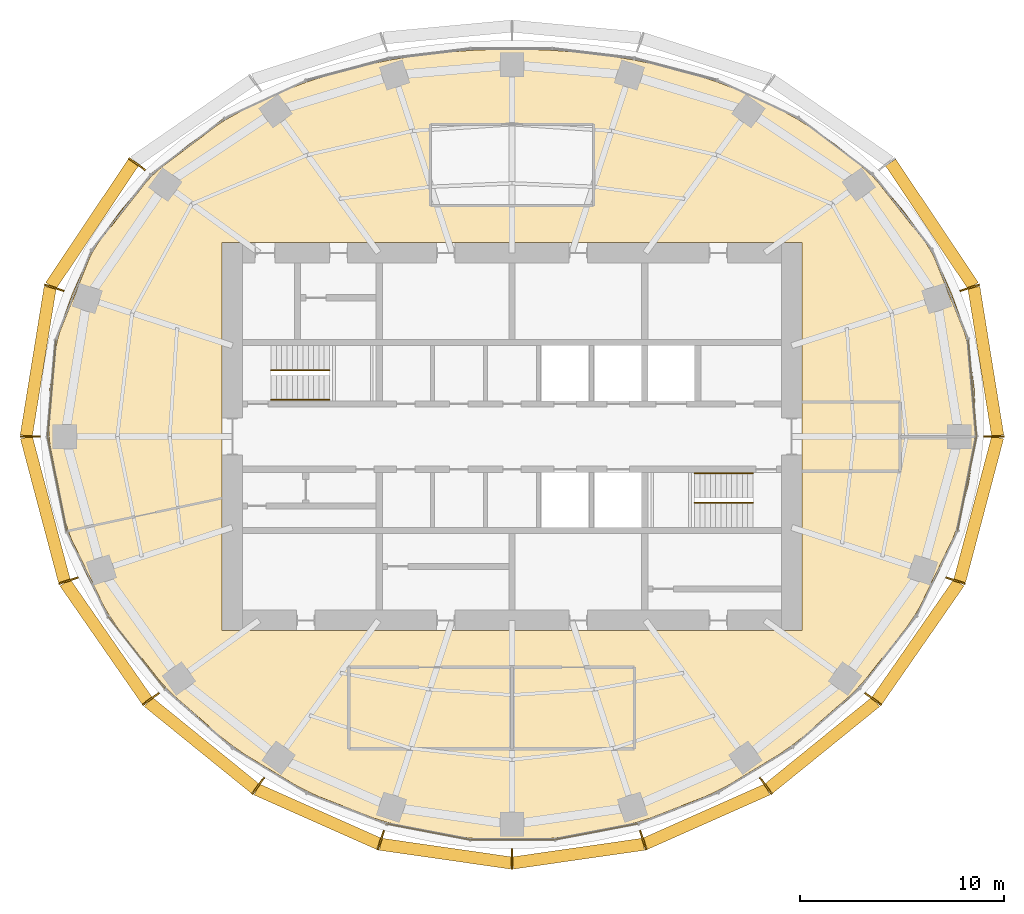
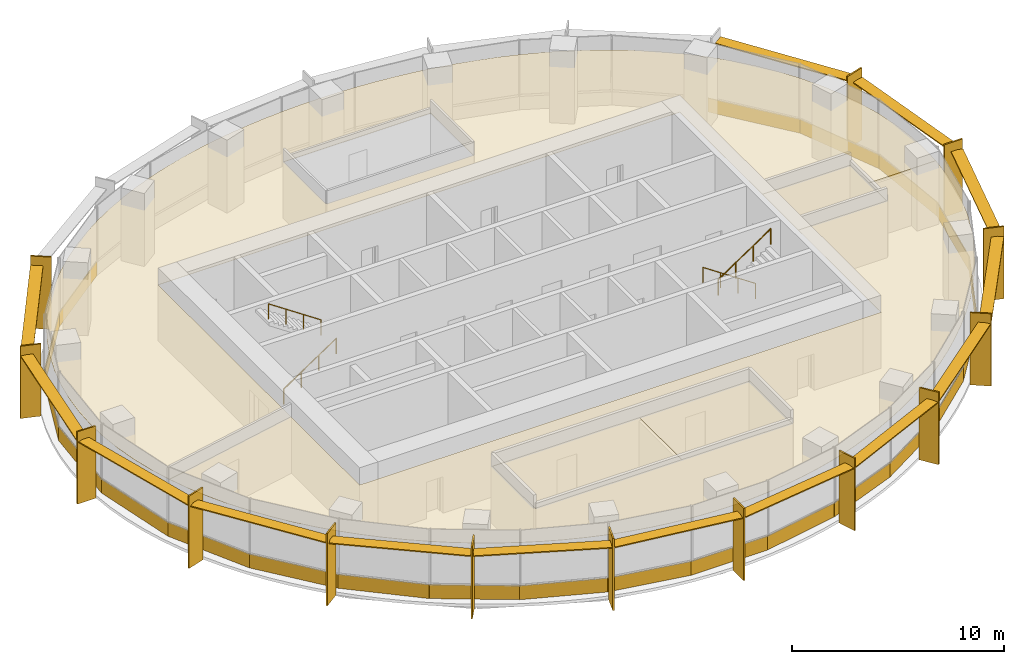
# One storey, part 12 of 13: 28 shading devices, 27 coverings, 4 railings.
"""IFC4 building model written with IfcOpenShell, lengths in metres."""

from ifc_helpers import new_model, si_unit, direction, frame, origin, origin_2d, place, context, subcontext, project, spatial, polyline, rectangle, circle, outline, extrude, material, layer, layer_set, type_object, element, save


model = new_model("IFC4")

# Units and contexts
model_context = context("Model", 3, precision=1e-05, world=origin(), true_north=direction((0.0, 1.0)))
body_context = subcontext(model_context, "Body", "Model", "MODEL_VIEW")
ifc_project = project(units=[si_unit("LENGTHUNIT", "METRE"), si_unit("AREAUNIT", "SQUARE_METRE"), si_unit("VOLUMEUNIT", "CUBIC_METRE"), si_unit("PLANEANGLEUNIT", "RADIAN"), si_unit("MASSUNIT", "GRAM", prefix="KILO")], contexts=[model_context])

# Site, building, storey
site_placement = place(None, origin())
site = spatial("IfcSite", under=ifc_project, at=site_placement, CompositionType="ELEMENT")
building_placement = place(site_placement, origin())
building = spatial("IfcBuilding", under=site, at=building_placement, Name="Marramba Exchange Tower", CompositionType="ELEMENT")
storey_placement = place(building_placement, frame((0.0, 0.0, 272.800048828125)))
storey = spatial("IfcBuildingStorey", under=building, at=storey_placement, Name="L66", CompositionType="ELEMENT", Elevation=272.800048828125)

# Shading devices
ifc_material_1 = material(Name="Aluminium blade, timber-look bronze finish", Category="wood")
ifc_layer_1 = layer(ifc_material_1, 0.080078125)
ifc_layer_set_1 = layer_set([ifc_layer_1], Name="Floor-edge blade 1000x80")
shading_device_type_1 = type_object("IfcShadingDeviceType", Name="Floor-edge blade 1000x80", PredefinedType="USERDEFINED", material=ifc_layer_set_1)
for number, where, z_axis, x_axis, name in (
    (1, (23.60009765625, 0.0, -0.16015625), (0.0, 0.0, 1.0), (1.0, 0.0, 0.0), "Floor-edge blade FB1 L66 TC01"),
    (2, (22.425048828125, 7.286376953125, -0.16015625), (0.0, 0.0, 1.0), (0.951056516295, 0.309016994375, 0.0), "Floor-edge blade FB1 L66 TC02"),
    (3, (-18.361083984375, 13.340087890625, -0.16015625), (0.0, 0.0, 1.0), (-0.809016994375, 0.587785252292, 0.0), "Floor-edge blade FB1 L66 TC09"),
    (4, (-22.425048828125, 7.286376953125, -0.16015625), (0.0, 0.0, 1.0), (-0.951056516295, 0.309016994375, 0.0), "Floor-edge blade FB1 L66 TC10"),
    (5, (-23.60009765625, 0.0, -0.16015625), (0.0, 0.0, 1.0), (-1.0, 0.0, 0.0), "Floor-edge blade FB1 L66 TC11"),
    (6, (-21.72607421875, -7.059326171875, -0.16015625), (0.0, 0.0, 1.0), (-0.951056516295, -0.309016994375, 0.0), "Floor-edge blade FB1 L66 TC12"),
    (7, (-17.690673828125, -12.85302734375, -0.16015625), (0.0, 0.0, 1.0), (-0.809016994375, -0.587785252292, 0.0), "Floor-edge blade FB1 L66 TC13"),
    (8, (-12.4296875, -17.10791015625, -0.16015625), (0.0, 0.0, 1.0), (-0.587785252292, -0.809016994375, 0.0), "Floor-edge blade FB1 L66 TC14"),
    (9, (-6.4248046875, -19.77392578125, -0.16015625), (0.0, 0.0, 1.0), (-0.309016994375, -0.951056516295, 0.0), "Floor-edge blade FB1 L66 TC15"),
    (10, (0.0, -20.696044921875, -0.16015625), (0.0, 0.0, 1.0), (0.0, -1.0, 0.0), "Floor-edge blade FB1 L66 TC16"),
    (11, (6.4248046875, -19.77392578125, -0.16015625), (0.0, 0.0, 1.0), (0.309016994375, -0.951056516295, 0.0), "Floor-edge blade FB1 L66 TC17"),
    (12, (12.4296875, -17.10791015625, -0.16015625), (0.0, 0.0, 1.0), (0.587785252292, -0.809016994375, 0.0), "Floor-edge blade FB1 L66 TC18"),
    (13, (17.690673828125, -12.85302734375, -0.16015625), (0.0, 0.0, 1.0), (0.809016994375, -0.587785252292, 0.0), "Floor-edge blade FB1 L66 TC19"),
    (14, (21.72607421875, -7.059326171875, -0.16015625), (0.0, 0.0, 1.0), (0.951056516295, -0.309016994375, 0.0), "Floor-edge blade FB1 L66 TC20"),
):
    element("IfcShadingDevice", number, at=place(storey_placement, frame(where, z_axis=z_axis, x_axis=x_axis)), inside=storey, type_object=shading_device_type_1, Name=name, ObjectType="FIN", PredefinedType="USERDEFINED", context=body_context, shape_type="SweptSolid", body=[
        extrude(rectangle(XDim=1.0, YDim=0.080078125, at=origin_2d()), origin(), (0.0, 0.0, 1.0), 4.159912109375),
    ])
ifc_material_2 = material(Name="Aluminium sunshade, bronze anodised", Category="aluminium")
ifc_layer_2 = layer(ifc_material_2, 0.06005859375)
ifc_layer_set_2 = layer_set([ifc_layer_2], Name="SUNSHADE blade 600x60")
shading_device_type_2 = type_object("IfcShadingDeviceType", Name="SUNSHADE blade 600x60", PredefinedType="USERDEFINED", material=ifc_layer_set_2)
shading_device_1_placement = place(storey_placement, frame((23.207763671875, 3.674072265625, 3.419921875), z_axis=(0.0, 0.0, 1.0), x_axis=(-0.159157708434, 0.9872531711, 0.0)))
element("IfcShadingDevice", 15, at=shading_device_1_placement, inside=storey, type_object=shading_device_type_2, Name="Sunshade SS1 L66 bay 01", ObjectType="SUNSHADE", PredefinedType="USERDEFINED", context=body_context, shape_type="SweptSolid", body=[
    extrude(rectangle(XDim=7.363037109375, YDim=0.60009765625, at=origin_2d()), origin(), (0.0, 0.0, 1.0), 0.06005859375),
])
for number, where, z_axis, x_axis, name in (
    (16, (20.569091796875, 10.40283203125, 3.419921875), (0.0, 0.0, 1.0), (-0.556539553467, 0.830821115179, 0.0), "Sunshade SS1 L66 bay 02"),
    (17, (-20.569091796875, 10.40283203125, 3.419921875), (0.0, 0.0, 1.0), (-0.556539553467, -0.830821115179, 0.0), "Sunshade SS1 L66 bay 09"),
):
    element("IfcShadingDevice", number, at=place(storey_placement, frame(where, z_axis=z_axis, x_axis=x_axis)), inside=storey, type_object=shading_device_type_2, Name=name, ObjectType="SUNSHADE", PredefinedType="USERDEFINED", context=body_context, shape_type="SweptSolid", body=[
        extrude(rectangle(XDim=7.2734375, YDim=0.60009765625, at=origin_2d()), origin(), (0.0, 0.0, 1.0), 0.06005859375),
    ])
shading_device_2_placement = place(storey_placement, frame((-23.207763671875, 3.674072265625, 3.419921875), z_axis=(0.0, 0.0, 1.0), x_axis=(-0.159157708434, -0.9872531711, 0.0)))
element("IfcShadingDevice", 18, at=shading_device_2_placement, inside=storey, type_object=shading_device_type_2, Name="Sunshade SS1 L66 bay 10", ObjectType="SUNSHADE", PredefinedType="USERDEFINED", context=body_context, shape_type="SweptSolid", body=[
    extrude(rectangle(XDim=7.363037109375, YDim=0.60009765625, at=origin_2d()), origin(), (0.0, 0.0, 1.0), 0.06005859375),
])
shading_device_3_placement = place(storey_placement, frame((-22.858154296875, -3.560546875, 3.419921875), z_axis=(0.0, 0.0, 1.0), x_axis=(0.25571852004, -0.966751280583, 0.0)))
element("IfcShadingDevice", 19, at=shading_device_3_placement, inside=storey, type_object=shading_device_type_2, Name="Sunshade SS1 L66 bay 11", ObjectType="SUNSHADE", PredefinedType="USERDEFINED", context=body_context, shape_type="SweptSolid", body=[
    extrude(rectangle(XDim=7.285888671875, YDim=0.60009765625, at=origin_2d()), origin(), (0.0, 0.0, 1.0), 0.06005859375),
])
shading_device_4_placement = place(storey_placement, frame((-19.884521484375, -10.0458984375, 3.419921875), z_axis=(0.0, 0.0, 1.0), x_axis=(0.570557728211, -0.821257498461, 0.0)))
element("IfcShadingDevice", 20, at=shading_device_4_placement, inside=storey, type_object=shading_device_type_2, Name="Sunshade SS1 L66 bay 12", ObjectType="SUNSHADE", PredefinedType="USERDEFINED", context=body_context, shape_type="SweptSolid", body=[
    extrude(rectangle(XDim=7.042724609375, YDim=0.60009765625, at=origin_2d()), origin(), (0.0, 0.0, 1.0), 0.06005859375),
])
shading_device_5_placement = place(storey_placement, frame((-15.199951171875, -15.1201171875, 3.419921875), z_axis=(0.0, 0.0, 1.0), x_axis=(0.77692769033, -0.629589837909, 0.0)))
element("IfcShadingDevice", 21, at=shading_device_5_placement, inside=storey, type_object=shading_device_type_2, Name="Sunshade SS1 L66 bay 13", ObjectType="SUNSHADE", PredefinedType="USERDEFINED", context=body_context, shape_type="SweptSolid", body=[
    extrude(rectangle(XDim=6.74853515625, YDim=0.60009765625, at=origin_2d()), origin(), (0.0, 0.0, 1.0), 0.06005859375),
])
shading_device_6_placement = place(storey_placement, frame((-9.51708984375, -18.616943359375, 3.419921875), z_axis=(0.0, 0.0, 1.0), x_axis=(0.913771139733, -0.406229373864, 0.0)))
element("IfcShadingDevice", 22, at=shading_device_6_placement, inside=storey, type_object=shading_device_type_2, Name="Sunshade SS1 L66 bay 14", ObjectType="SUNSHADE", PredefinedType="USERDEFINED", context=body_context, shape_type="SweptSolid", body=[
    extrude(rectangle(XDim=6.552490234375, YDim=0.60009765625, at=origin_2d()), origin(), (0.0, 0.0, 1.0), 0.06005859375),
])
for number, where, z_axis, x_axis, name in (
    (23, (-3.243408203125, -20.429931640625, 3.419921875), (0.0, 0.0, 1.0), (0.989836541125, -0.142209781145, 0.0), "Sunshade SS1 L66 bay 15"),
    (24, (3.243408203125, -20.429931640625, 3.419921875), (0.0, 0.0, 1.0), (0.989836541125, 0.142209781145, 0.0), "Sunshade SS1 L66 bay 16"),
):
    element("IfcShadingDevice", number, at=place(storey_placement, frame(where, z_axis=z_axis, x_axis=x_axis)), inside=storey, type_object=shading_device_type_2, Name=name, ObjectType="SUNSHADE", PredefinedType="USERDEFINED", context=body_context, shape_type="SweptSolid", body=[
        extrude(rectangle(XDim=6.473388671875, YDim=0.60009765625, at=origin_2d()), origin(), (0.0, 0.0, 1.0), 0.06005859375),
    ])
shading_device_7_placement = place(storey_placement, frame((9.51708984375, -18.616943359375, 3.419921875), z_axis=(0.0, 0.0, 1.0), x_axis=(0.913771139733, 0.406229373864, 0.0)))
element("IfcShadingDevice", 25, at=shading_device_7_placement, inside=storey, type_object=shading_device_type_2, Name="Sunshade SS1 L66 bay 17", ObjectType="SUNSHADE", PredefinedType="USERDEFINED", context=body_context, shape_type="SweptSolid", body=[
    extrude(rectangle(XDim=6.552490234375, YDim=0.60009765625, at=origin_2d()), origin(), (0.0, 0.0, 1.0), 0.06005859375),
])
shading_device_8_placement = place(storey_placement, frame((15.199951171875, -15.1201171875, 3.419921875), z_axis=(0.0, 0.0, 1.0), x_axis=(0.77692769033, 0.629589837909, 0.0)))
element("IfcShadingDevice", 26, at=shading_device_8_placement, inside=storey, type_object=shading_device_type_2, Name="Sunshade SS1 L66 bay 18", ObjectType="SUNSHADE", PredefinedType="USERDEFINED", context=body_context, shape_type="SweptSolid", body=[
    extrude(rectangle(XDim=6.74853515625, YDim=0.60009765625, at=origin_2d()), origin(), (0.0, 0.0, 1.0), 0.06005859375),
])
shading_device_9_placement = place(storey_placement, frame((19.884521484375, -10.0458984375, 3.419921875), z_axis=(0.0, 0.0, 1.0), x_axis=(0.570557728211, 0.821257498461, 0.0)))
element("IfcShadingDevice", 27, at=shading_device_9_placement, inside=storey, type_object=shading_device_type_2, Name="Sunshade SS1 L66 bay 19", ObjectType="SUNSHADE", PredefinedType="USERDEFINED", context=body_context, shape_type="SweptSolid", body=[
    extrude(rectangle(XDim=7.042724609375, YDim=0.60009765625, at=origin_2d()), origin(), (0.0, 0.0, 1.0), 0.06005859375),
])
shading_device_10_placement = place(storey_placement, frame((22.858154296875, -3.560546875, 3.419921875), z_axis=(0.0, 0.0, 1.0), x_axis=(0.25571852004, 0.966751280583, 0.0)))
element("IfcShadingDevice", 28, at=shading_device_10_placement, inside=storey, type_object=shading_device_type_2, Name="Sunshade SS1 L66 bay 20", ObjectType="SUNSHADE", PredefinedType="USERDEFINED", context=body_context, shape_type="SweptSolid", body=[
    extrude(rectangle(XDim=7.285888671875, YDim=0.60009765625, at=origin_2d()), origin(), (0.0, 0.0, 1.0), 0.06005859375),
])

# Coverings
ifc_material_3 = material(Name="Aluminium spandrel panel, bronze anodised, insulated", Category="aluminium")
ifc_layer_3 = layer(ifc_material_3, 0.050048828125)
ifc_layer_set_3 = layer_set([ifc_layer_3], Name="Spandrel panel 800")
covering_type_1 = type_object("IfcCoveringType", Name="Spandrel panel 800", PredefinedType="CLADDING", material=ifc_layer_set_3)
covering_1_placement = place(storey_placement, frame((22.546142578125, 2.37451171875, 0.0), z_axis=(0.0, 0.0, 1.0), x_axis=(-0.085574001482, 0.996331817353, 0.0)))
element("IfcCovering", 29, at=covering_1_placement, inside=storey, type_object=covering_type_1, Name="Spandrel panel SP1 L66 F01", PredefinedType="CLADDING", context=body_context, shape_type="SweptSolid", body=[
    extrude(rectangle(XDim=4.766357421875, YDim=0.050048828125, at=origin_2d()), origin(), (0.0, 0.0, 1.0), 0.800048828125),
])
covering_2_placement = place(storey_placement, frame((21.455810546875, 6.95361328125, 0.0), z_axis=(0.0, 0.0, 1.0), x_axis=(-0.37298308637, 0.927838141748, 0.0)))
element("IfcCovering", 30, at=covering_2_placement, inside=storey, type_object=covering_type_1, Name="Spandrel panel SP1 L66 F02", PredefinedType="CLADDING", context=body_context, shape_type="SweptSolid", body=[
    extrude(rectangle(XDim=4.752197265625, YDim=0.050048828125, at=origin_2d()), origin(), (0.0, 0.0, 1.0), 0.800048828125),
])
covering_3_placement = place(storey_placement, frame((19.12158203125, 10.999267578125, 0.0), z_axis=(0.0, 0.0, 1.0), x_axis=(-0.618222858348, 0.786002860946, 0.0)))
element("IfcCovering", 31, at=covering_3_placement, inside=storey, type_object=covering_type_1, Name="Spandrel panel SP1 L66 F03", PredefinedType="CLADDING", context=body_context, shape_type="SweptSolid", body=[
    extrude(rectangle(XDim=4.684814453125, YDim=0.050048828125, at=origin_2d()), origin(), (0.0, 0.0, 1.0), 0.800048828125),
])
covering_4_placement = place(storey_placement, frame((-15.859375, 14.2197265625, 0.0), z_axis=(0.0, 0.0, 1.0), x_axis=(-0.796058898731, -0.605219158447, 0.0)))
element("IfcCovering", 32, at=covering_4_placement, inside=storey, type_object=covering_type_1, Name="Spandrel panel SP1 L66 F12", PredefinedType="CLADDING", context=body_context, shape_type="SweptSolid", body=[
    extrude(rectangle(XDim=4.5576171875, YDim=0.050048828125, at=origin_2d()), origin(), (0.0, 0.0, 1.0), 0.800048828125),
])
covering_5_placement = place(storey_placement, frame((-19.12158203125, 10.999267578125, 0.0), z_axis=(0.0, 0.0, 1.0), x_axis=(-0.618222858348, -0.786002860946, 0.0)))
element("IfcCovering", 33, at=covering_5_placement, inside=storey, type_object=covering_type_1, Name="Spandrel panel SP1 L66 F13", PredefinedType="CLADDING", context=body_context, shape_type="SweptSolid", body=[
    extrude(rectangle(XDim=4.684814453125, YDim=0.050048828125, at=origin_2d()), origin(), (0.0, 0.0, 1.0), 0.800048828125),
])
covering_6_placement = place(storey_placement, frame((-21.455810546875, 6.95361328125, 0.0), z_axis=(0.0, 0.0, 1.0), x_axis=(-0.37298308637, -0.927838141748, 0.0)))
element("IfcCovering", 34, at=covering_6_placement, inside=storey, type_object=covering_type_1, Name="Spandrel panel SP1 L66 F14", PredefinedType="CLADDING", context=body_context, shape_type="SweptSolid", body=[
    extrude(rectangle(XDim=4.752197265625, YDim=0.050048828125, at=origin_2d()), origin(), (0.0, 0.0, 1.0), 0.800048828125),
])
covering_7_placement = place(storey_placement, frame((-22.546142578125, 2.37451171875, 0.0), z_axis=(0.0, 0.0, 1.0), x_axis=(-0.085574001482, -0.996331817353, 0.0)))
element("IfcCovering", 35, at=covering_7_placement, inside=storey, type_object=covering_type_1, Name="Spandrel panel SP1 L66 F15", PredefinedType="CLADDING", context=body_context, shape_type="SweptSolid", body=[
    extrude(rectangle(XDim=4.766357421875, YDim=0.050048828125, at=origin_2d()), origin(), (0.0, 0.0, 1.0), 0.800048828125),
])
covering_8_placement = place(storey_placement, frame((-22.282470703125, -2.318359375, 0.0), z_axis=(0.0, 0.0, 1.0), x_axis=(0.197670531369, -0.980268514759, 0.0)))
element("IfcCovering", 36, at=covering_8_placement, inside=storey, type_object=covering_type_1, Name="Spandrel panel SP1 L66 F16", PredefinedType="CLADDING", context=body_context, shape_type="SweptSolid", body=[
    extrude(rectangle(XDim=4.730224609375, YDim=0.050048828125, at=origin_2d()), origin(), (0.0, 0.0, 1.0), 0.800048828125),
])
covering_9_placement = place(storey_placement, frame((-20.802490234375, -6.723876953125, 0.0), z_axis=(0.0, 0.0, 1.0), x_axis=(0.436514592932, -0.89969717692, 0.0)))
element("IfcCovering", 37, at=covering_9_placement, inside=storey, type_object=covering_type_1, Name="Spandrel panel SP1 L66 F17", PredefinedType="CLADDING", context=body_context, shape_type="SweptSolid", body=[
    extrude(rectangle(XDim=4.639404296875, YDim=0.050048828125, at=origin_2d()), origin(), (0.0, 0.0, 1.0), 0.800048828125),
])
covering_10_placement = place(storey_placement, frame((-18.396484375, -10.582275390625, 0.0), z_axis=(0.0, 0.0, 1.0), x_axis=(0.618290638357, -0.785949544513, 0.0)))
element("IfcCovering", 38, at=covering_10_placement, inside=storey, type_object=covering_type_1, Name="Spandrel panel SP1 L66 F18", PredefinedType="CLADDING", context=body_context, shape_type="SweptSolid", body=[
    extrude(rectangle(XDim=4.50732421875, YDim=0.050048828125, at=origin_2d()), origin(), (0.0, 0.0, 1.0), 0.800048828125),
])
covering_11_placement = place(storey_placement, frame((-15.358154296875, -13.791748046875, 0.0), z_axis=(0.0, 0.0, 1.0), x_axis=(0.752751054625, -0.658305286141, 0.0)))
element("IfcCovering", 39, at=covering_11_placement, inside=storey, type_object=covering_type_1, Name="Spandrel panel SP1 L66 F19", PredefinedType="CLADDING", context=body_context, shape_type="SweptSolid", body=[
    extrude(rectangle(XDim=4.3701171875, YDim=0.050048828125, at=origin_2d()), origin(), (0.0, 0.0, 1.0), 0.800048828125),
])
covering_12_placement = place(storey_placement, frame((-11.89208984375, -16.336669921875, 0.0), z_axis=(0.0, 0.0, 1.0), x_axis=(0.854704332048, -0.519115117077, 0.0)))
element("IfcCovering", 40, at=covering_12_placement, inside=storey, type_object=covering_type_1, Name="Spandrel panel SP1 L66 F20", PredefinedType="CLADDING", context=body_context, shape_type="SweptSolid", body=[
    extrude(rectangle(XDim=4.261962890625, YDim=0.050048828125, at=origin_2d()), origin(), (0.0, 0.0, 1.0), 0.800048828125),
])
covering_13_placement = place(storey_placement, frame((-8.116455078125, -18.2041015625, 0.0), z_axis=(0.0, 0.0, 1.0), x_axis=(0.931785135173, -0.363010277914, 0.0)))
element("IfcCovering", 41, at=covering_13_placement, inside=storey, type_object=covering_type_1, Name="Spandrel panel SP1 L66 F21", PredefinedType="CLADDING", context=body_context, shape_type="SweptSolid", body=[
    extrude(rectangle(XDim=4.194580078125, YDim=0.050048828125, at=origin_2d()), origin(), (0.0, 0.0, 1.0), 0.800048828125),
])
covering_14_placement = place(storey_placement, frame((-4.118896484375, -19.356201171875, 0.0), z_axis=(0.0, 0.0, 1.0), x_axis=(0.982193292652, -0.187873190928, 0.0)))
element("IfcCovering", 42, at=covering_14_placement, inside=storey, type_object=covering_type_1, Name="Spandrel panel SP1 L66 F22", PredefinedType="CLADDING", context=body_context, shape_type="SweptSolid", body=[
    extrude(rectangle(XDim=4.160888671875, YDim=0.050048828125, at=origin_2d()), origin(), (0.0, 0.0, 1.0), 0.800048828125),
])
covering_15_placement = place(storey_placement, frame((0.0, -19.7470703125, 0.0), z_axis=(0.0, 0.0, 1.0), x_axis=(1.0, 0.0, 0.0)))
element("IfcCovering", 43, at=covering_15_placement, inside=storey, type_object=covering_type_1, Name="Spandrel panel SP1 L66 F23", PredefinedType="CLADDING", context=body_context, shape_type="SweptSolid", body=[
    extrude(rectangle(XDim=4.151123046875, YDim=0.050048828125, at=origin_2d()), origin(), (0.0, 0.0, 1.0), 0.800048828125),
])
covering_16_placement = place(storey_placement, frame((4.118896484375, -19.356201171875, 0.0), z_axis=(0.0, 0.0, 1.0), x_axis=(0.982193292652, 0.187873190928, 0.0)))
element("IfcCovering", 44, at=covering_16_placement, inside=storey, type_object=covering_type_1, Name="Spandrel panel SP1 L66 F24", PredefinedType="CLADDING", context=body_context, shape_type="SweptSolid", body=[
    extrude(rectangle(XDim=4.160888671875, YDim=0.050048828125, at=origin_2d()), origin(), (0.0, 0.0, 1.0), 0.800048828125),
])
covering_17_placement = place(storey_placement, frame((8.116455078125, -18.2041015625, 0.0), z_axis=(0.0, 0.0, 1.0), x_axis=(0.931785135173, 0.363010277914, 0.0)))
element("IfcCovering", 45, at=covering_17_placement, inside=storey, type_object=covering_type_1, Name="Spandrel panel SP1 L66 F25", PredefinedType="CLADDING", context=body_context, shape_type="SweptSolid", body=[
    extrude(rectangle(XDim=4.194580078125, YDim=0.050048828125, at=origin_2d()), origin(), (0.0, 0.0, 1.0), 0.800048828125),
])
covering_18_placement = place(storey_placement, frame((11.89208984375, -16.336669921875, 0.0), z_axis=(0.0, 0.0, 1.0), x_axis=(0.854704332048, 0.519115117077, 0.0)))
element("IfcCovering", 46, at=covering_18_placement, inside=storey, type_object=covering_type_1, Name="Spandrel panel SP1 L66 F26", PredefinedType="CLADDING", context=body_context, shape_type="SweptSolid", body=[
    extrude(rectangle(XDim=4.261962890625, YDim=0.050048828125, at=origin_2d()), origin(), (0.0, 0.0, 1.0), 0.800048828125),
])
covering_19_placement = place(storey_placement, frame((15.358154296875, -13.791748046875, 0.0), z_axis=(0.0, 0.0, 1.0), x_axis=(0.752751054625, 0.658305286141, 0.0)))
element("IfcCovering", 47, at=covering_19_placement, inside=storey, type_object=covering_type_1, Name="Spandrel panel SP1 L66 F27", PredefinedType="CLADDING", context=body_context, shape_type="SweptSolid", body=[
    extrude(rectangle(XDim=4.3701171875, YDim=0.050048828125, at=origin_2d()), origin(), (0.0, 0.0, 1.0), 0.800048828125),
])
covering_20_placement = place(storey_placement, frame((18.396484375, -10.582275390625, 0.0), z_axis=(0.0, 0.0, 1.0), x_axis=(0.618290638357, 0.785949544513, 0.0)))
element("IfcCovering", 48, at=covering_20_placement, inside=storey, type_object=covering_type_1, Name="Spandrel panel SP1 L66 F28", PredefinedType="CLADDING", context=body_context, shape_type="SweptSolid", body=[
    extrude(rectangle(XDim=4.50732421875, YDim=0.050048828125, at=origin_2d()), origin(), (0.0, 0.0, 1.0), 0.800048828125),
])
covering_21_placement = place(storey_placement, frame((20.802490234375, -6.723876953125, 0.0), z_axis=(0.0, 0.0, 1.0), x_axis=(0.436514592932, 0.89969717692, 0.0)))
element("IfcCovering", 49, at=covering_21_placement, inside=storey, type_object=covering_type_1, Name="Spandrel panel SP1 L66 F29", PredefinedType="CLADDING", context=body_context, shape_type="SweptSolid", body=[
    extrude(rectangle(XDim=4.639404296875, YDim=0.050048828125, at=origin_2d()), origin(), (0.0, 0.0, 1.0), 0.800048828125),
])
covering_22_placement = place(storey_placement, frame((22.282470703125, -2.318359375, 0.0), z_axis=(0.0, 0.0, 1.0), x_axis=(0.197670531369, 0.980268514759, 0.0)))
element("IfcCovering", 50, at=covering_22_placement, inside=storey, type_object=covering_type_1, Name="Spandrel panel SP1 L66 F30", PredefinedType="CLADDING", context=body_context, shape_type="SweptSolid", body=[
    extrude(rectangle(XDim=4.730224609375, YDim=0.050048828125, at=origin_2d()), origin(), (0.0, 0.0, 1.0), 0.800048828125),
])

# Railings
ifc_material_4 = material(Name="Stainless steel handrail", Category="steel")
railing_type = type_object("IfcRailingType", Name="Stair handrail 900", PredefinedType="HANDRAIL", material=ifc_material_4)
railing_1_placement = place(storey_placement, frame((-11.800048828125, 1.800048828125, 0.175048828125)))
element("IfcRailing", 51, at=railing_1_placement, inside=storey, type_object=railing_type, Name="Handrail HR1 ST1 L66 flight 1", PredefinedType="HANDRAIL", context=body_context, shape_type="SweptSolid", body=[
    extrude(circle(Radius=0.02392578125, at=origin_2d()), frame((0.0, 0.0, 0.8759765625), z_axis=(0.829623704247, 0.0, 0.558322943601), x_axis=(0.0, 1.0, 0.0)), (0.0, 0.0, 1.0), 3.447509765625),
    extrude(circle(Radius=0.02099609375, at=origin_2d()), origin(), (0.0, 0.0, 1.0), 0.851806640625),
    extrude(circle(Radius=0.02099609375, at=origin_2d()), frame((0.953369140625, 0.0, 0.6416015625)), (0.0, 0.0, 1.0), 0.851806640625),
    extrude(circle(Radius=0.02099609375, at=origin_2d()), frame((1.90673828125, 0.0, 1.283203125)), (0.0, 0.0, 1.0), 0.851806640625),
    extrude(circle(Radius=0.02099609375, at=origin_2d()), frame((2.860107421875, 0.0, 1.9248046875)), (0.0, 0.0, 1.0), 0.851806640625),
])
railing_2_placement = place(storey_placement, frame((-8.93994140625, 3.25, 2.27490234375)))
element("IfcRailing", 52, at=railing_2_placement, inside=storey, type_object=railing_type, Name="Handrail HR1 ST1 L66 flight 2", PredefinedType="HANDRAIL", context=body_context, shape_type="SweptSolid", body=[
    extrude(circle(Radius=0.02392578125, at=origin_2d()), frame((0.0, 0.0, 0.8759765625), z_axis=(-0.829590901723, 0.0, 0.558371682465), x_axis=(0.0, -1.0, 0.0)), (0.0, 0.0, 1.0), 3.447509765625),
    extrude(circle(Radius=0.02099609375, at=origin_2d()), origin(), (0.0, 0.0, 1.0), 0.851806640625),
    extrude(circle(Radius=0.02099609375, at=origin_2d()), frame((-0.953369140625, 0.0, 0.6416015625)), (0.0, 0.0, 1.0), 0.851806640625),
    extrude(circle(Radius=0.02099609375, at=origin_2d()), frame((-1.90673828125, 0.0, 1.283447265625)), (0.0, 0.0, 1.0), 0.851806640625),
    extrude(circle(Radius=0.02099609375, at=origin_2d()), frame((-2.860107421875, 0.0, 1.925048828125)), (0.0, 0.0, 1.0), 0.851806640625),
])
railing_3_placement = place(storey_placement, frame((11.800048828125, -1.800048828125, 0.175048828125)))
element("IfcRailing", 53, at=railing_3_placement, inside=storey, type_object=railing_type, Name="Handrail HR1 ST2 L66 flight 1", PredefinedType="HANDRAIL", context=body_context, shape_type="SweptSolid", body=[
    extrude(circle(Radius=0.02392578125, at=origin_2d()), frame((0.0, 0.0, 0.8759765625), z_axis=(-0.829623704247, 0.0, 0.558322943601), x_axis=(0.0, -1.0, 0.0)), (0.0, 0.0, 1.0), 3.447509765625),
    extrude(circle(Radius=0.02099609375, at=origin_2d()), origin(), (0.0, 0.0, 1.0), 0.851806640625),
    extrude(circle(Radius=0.02099609375, at=origin_2d()), frame((-0.953369140625, 0.0, 0.6416015625)), (0.0, 0.0, 1.0), 0.851806640625),
    extrude(circle(Radius=0.02099609375, at=origin_2d()), frame((-1.90673828125, 0.0, 1.283203125)), (0.0, 0.0, 1.0), 0.851806640625),
    extrude(circle(Radius=0.02099609375, at=origin_2d()), frame((-2.860107421875, 0.0, 1.9248046875)), (0.0, 0.0, 1.0), 0.851806640625),
])
railing_4_placement = place(storey_placement, frame((8.93994140625, -3.25, 2.27490234375)))
element("IfcRailing", 54, at=railing_4_placement, inside=storey, type_object=railing_type, Name="Handrail HR1 ST2 L66 flight 2", PredefinedType="HANDRAIL", context=body_context, shape_type="SweptSolid", body=[
    extrude(circle(Radius=0.02392578125, at=origin_2d()), frame((0.0, 0.0, 0.8759765625), z_axis=(0.829590901723, 0.0, 0.558371682465), x_axis=(0.0, 1.0, 0.0)), (0.0, 0.0, 1.0), 3.447509765625),
    extrude(circle(Radius=0.02099609375, at=origin_2d()), origin(), (0.0, 0.0, 1.0), 0.851806640625),
    extrude(circle(Radius=0.02099609375, at=origin_2d()), frame((0.953369140625, 0.0, 0.6416015625)), (0.0, 0.0, 1.0), 0.851806640625),
    extrude(circle(Radius=0.02099609375, at=origin_2d()), frame((1.90673828125, 0.0, 1.283447265625)), (0.0, 0.0, 1.0), 0.851806640625),
    extrude(circle(Radius=0.02099609375, at=origin_2d()), frame((2.860107421875, 0.0, 1.925048828125)), (0.0, 0.0, 1.0), 0.851806640625),
])

# Coverings
ifc_material_5 = material(Name="Mineral fibre ceiling tiles", Category="gypsum")
ifc_layer_4 = layer(ifc_material_5, 0.02001953125)
ifc_layer_set_4 = layer_set([ifc_layer_4], Name="Suspended ceiling 20")
covering_type_2 = type_object("IfcCoveringType", Name="Suspended ceiling 20", PredefinedType="CEILING", material=ifc_layer_set_4)
covering_23_placement = place(storey_placement, frame((0.0, 0.0, 3.199951171875)))
element("IfcCovering", 55, at=covering_23_placement, inside=storey, type_object=covering_type_2, Name="Ceiling CL1 L66 Executive Lounge", PredefinedType="CEILING", context=body_context, shape_type="SweptSolid", body=[
    extrude(outline(polyline([(14.199951171875, 1.699951171875), (14.199951171875, 9.5), (-14.199951171875, 9.5), (-14.199951171875, -3.018310546875), (-21.73681640625, -4.620361328125), (-22.08447265625, -3.497802734375), (-22.35888671875, -2.35009765625), (-22.555419921875, -1.18212890625), (-22.669921875, 0.0), (-22.69970703125, 1.189697265625), (-22.642333984375, 2.3798828125), (-22.4970703125, 3.563232421875), (-22.263916015625, 4.732421875), (-21.9443359375, 5.8798828125), (-21.540771484375, 6.9990234375), (-21.056640625, 8.0830078125), (-20.49658203125, 9.125732421875), (-19.86572265625, 10.1220703125), (-19.169921875, 11.067626953125), (-18.415283203125, 11.958984375), (-17.608642578125, 12.79345703125), (-16.756591796875, 13.569091796875), (-15.865478515625, 14.285400390625), (-14.94189453125, 14.94189453125), (-13.99169921875, 15.539306640625), (-13.020751953125, 16.079345703125), (-12.033935546875, 16.563232421875), (-11.035888671875, 16.993896484375), (-10.030517578125, 17.37353515625), (-9.021240234375, 17.705078125), (-8.010498046875, 17.99169921875), (-7.0, 18.23583984375), (-5.99169921875, 18.44091796875), (-4.986328125, 18.609375), (-3.984130859375, 18.74365234375), (-2.98486328125, 18.845703125), (-1.98828125, 18.91748046875), (-0.99365234375, 18.9599609375), (0.0, 18.97412109375), (0.99365234375, 18.9599609375), (1.98828125, 18.91748046875), (2.98486328125, 18.845703125), (3.984130859375, 18.74365234375), (4.986328125, 18.609375), (5.99169921875, 18.44091796875), (7.0, 18.23583984375), (8.010498046875, 17.99169921875), (9.021240234375, 17.705078125), (10.030517578125, 17.37353515625), (11.035888671875, 16.993896484375), (12.033935546875, 16.563232421875), (13.020751953125, 16.079345703125), (13.99169921875, 15.539306640625), (14.94189453125, 14.94189453125), (15.865478515625, 14.285400390625), (16.756591796875, 13.569091796875), (17.608642578125, 12.79345703125), (18.415283203125, 11.958984375), (19.169921875, 11.067626953125), (19.86572265625, 10.1220703125), (20.49658203125, 9.125732421875), (21.056640625, 8.0830078125), (21.540771484375, 6.9990234375), (21.9443359375, 5.8798828125), (22.263916015625, 4.732421875), (22.4970703125, 3.563232421875), (22.642333984375, 2.3798828125), (22.69970703125, 1.189697265625), (22.669921875, 0.0), (19.0, 0.0), (19.0, 1.699951171875), (14.199951171875, 1.699951171875)]), holes=[polyline([(4.0, 15.300048828125), (-4.0, 15.300048828125), (-4.0, 11.300048828125), (4.0, 11.300048828125), (4.0, 15.300048828125)])]), origin(), (0.0, 0.0, 1.0), 0.02001953125),
])
covering_24_placement = place(storey_placement, frame((0.0, 0.0, 3.199951171875)))
element("IfcCovering", 56, at=covering_24_placement, inside=storey, type_object=covering_type_2, Name="Ceiling CL1 L66 Guest Lounge", PredefinedType="CEILING", context=body_context, shape_type="SweptSolid", body=[
    extrude(outline(polyline([(14.199951171875, -9.5), (14.199951171875, -1.699951171875), (19.0, -1.699951171875), (19.0, 0.0), (22.669921875, 0.0), (22.555419921875, -1.18212890625), (22.35888671875, -2.35009765625), (22.08447265625, -3.497802734375), (21.73681640625, -4.620361328125), (21.32080078125, -5.712890625), (20.841796875, -6.77197265625), (20.305419921875, -7.79443359375), (19.716796875, -8.7783203125), (19.081298828125, -9.722412109375), (18.403564453125, -10.625244140625), (17.68798828125, -11.48681640625), (16.938232421875, -12.306396484375), (16.158203125, -13.08447265625), (15.35009765625, -13.8212890625), (14.5166015625, -14.5166015625), (13.659912109375, -15.1708984375), (12.781494140625, -15.783935546875), (11.883056640625, -16.355712890625), (10.9658203125, -16.885498046875), (10.030517578125, -17.37353515625), (9.0791015625, -17.818603515625), (8.1123046875, -18.22021484375), (7.131103515625, -18.577392578125), (6.137451171875, -18.889404296875), (5.132568359375, -19.155029296875), (4.1181640625, -19.373779296875), (3.095703125, -19.544921875), (2.067138671875, -19.66748046875), (1.03466796875, -19.741455078125), (0.0, -19.76611328125), (-1.03466796875, -19.741455078125), (-2.067138671875, -19.66748046875), (-3.095703125, -19.544921875), (-4.1181640625, -19.373779296875), (-5.132568359375, -19.155029296875), (-6.137451171875, -18.889404296875), (-7.131103515625, -18.577392578125), (-8.1123046875, -18.22021484375), (-9.0791015625, -17.818603515625), (-10.030517578125, -17.37353515625), (-10.9658203125, -16.885498046875), (-11.883056640625, -16.355712890625), (-12.781494140625, -15.783935546875), (-13.659912109375, -15.1708984375), (-14.5166015625, -14.5166015625), (-15.35009765625, -13.8212890625), (-16.158203125, -13.08447265625), (-16.938232421875, -12.306396484375), (-17.68798828125, -11.48681640625), (-18.403564453125, -10.625244140625), (-19.081298828125, -9.722412109375), (-19.716796875, -8.7783203125), (-20.305419921875, -7.79443359375), (-20.841796875, -6.77197265625), (-21.32080078125, -5.712890625), (-21.73681640625, -4.620361328125), (-15.15869140625, -3.22216796875), (-14.199951171875, -3.018310546875), (-14.199951171875, -9.5), (14.199951171875, -9.5)]), holes=[polyline([(0.0, -15.300048828125), (6.0, -15.300048828125), (6.0, -11.300048828125), (0.0, -11.300048828125), (-8.0, -11.300048828125), (-8.0, -15.300048828125), (0.0, -15.300048828125)])]), origin(), (0.0, 0.0, 1.0), 0.02001953125),
])
covering_25_placement = place(storey_placement, frame((0.0, 0.0, 3.199951171875)))
element("IfcCovering", 57, at=covering_25_placement, inside=storey, type_object=covering_type_2, Name="Ceiling CL1 L66 Corridor", PredefinedType="CEILING", context=body_context, shape_type="SweptSolid", body=[
    extrude(outline(polyline([(14.199951171875, -1.699951171875), (14.199951171875, 1.699951171875), (19.0, 1.699951171875), (19.0, -1.699951171875), (14.199951171875, -1.699951171875)])), origin(), (0.0, 0.0, 1.0), 0.02001953125),
])
covering_26_placement = place(storey_placement, frame((0.0, 0.0, 3.199951171875)))
element("IfcCovering", 58, at=covering_26_placement, inside=storey, type_object=covering_type_2, Name="Ceiling CL1 L66 Meeting Room 1", PredefinedType="CEILING", context=body_context, shape_type="SweptSolid", body=[
    extrude(outline(polyline([(0.0, -15.300048828125), (-8.0, -15.300048828125), (-8.0, -11.300048828125), (0.0, -11.300048828125), (0.0, -15.300048828125)])), origin(), (0.0, 0.0, 1.0), 0.02001953125),
])
covering_27_placement = place(storey_placement, frame((0.0, 0.0, 3.199951171875)))
element("IfcCovering", 59, at=covering_27_placement, inside=storey, type_object=covering_type_2, Name="Ceiling CL1 L66 Meeting Room 2", PredefinedType="CEILING", context=body_context, shape_type="SweptSolid", body=[
    extrude(outline(polyline([(6.0, -15.300048828125), (0.0, -15.300048828125), (0.0, -11.300048828125), (6.0, -11.300048828125), (6.0, -15.300048828125)])), origin(), (0.0, 0.0, 1.0), 0.02001953125),
])

save(model, "model.ifc")
